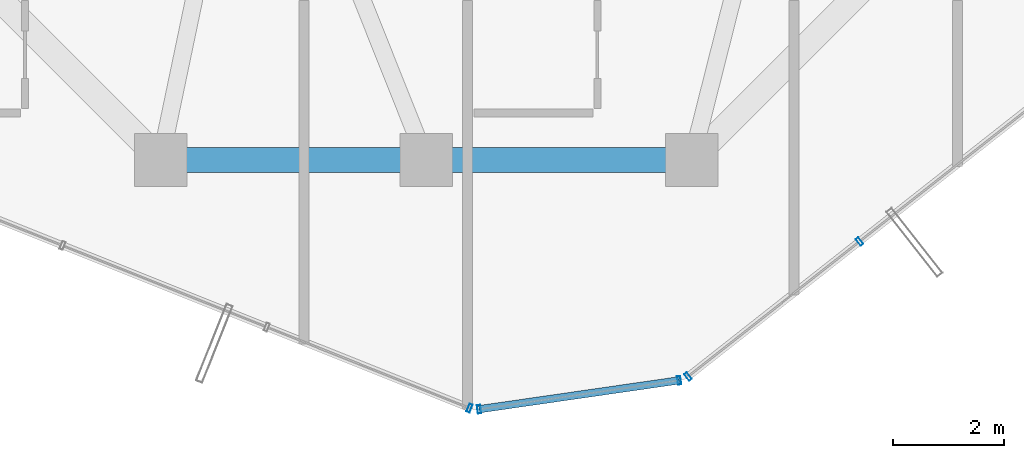
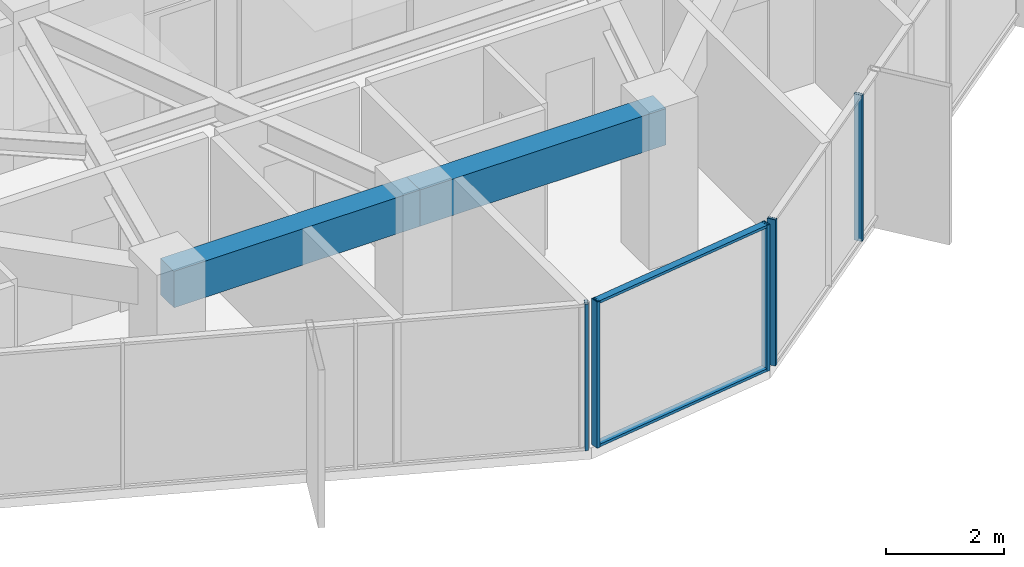
# One storey, part 6 of 31: 7 members, 2 beams, 3 elements without a shape of their own.
"""IFC4 building model written with IfcOpenShell, lengths in metres."""

from ifc_helpers import new_model, si_unit, direction, frame, origin, origin_2d, place, context, subcontext, project, spatial, rectangle, hollow_rectangle, extrude, source, transform, mapped, material, layer, layer_set, material_profile, profile_set, type_object, element, aggregate, save


model = new_model("IFC4")

# Units and contexts
model_context = context("Model", 3, precision=1e-05, world=origin(), true_north=direction((0.0, 1.0)))
body_context = subcontext(model_context, "Body", "Model", "MODEL_VIEW")
ifc_project = project(units=[si_unit("LENGTHUNIT", "METRE"), si_unit("AREAUNIT", "SQUARE_METRE"), si_unit("VOLUMEUNIT", "CUBIC_METRE"), si_unit("PLANEANGLEUNIT", "RADIAN"), si_unit("MASSUNIT", "GRAM", prefix="KILO")], contexts=[model_context])

# Site, building, storey
site_placement = place(None, origin())
site = spatial("IfcSite", under=ifc_project, at=site_placement, CompositionType="ELEMENT")
building_placement = place(site_placement, origin())
building = spatial("IfcBuilding", under=site, at=building_placement, Name="Veraguas Prism Commons", CompositionType="ELEMENT")
storey_placement = place(building_placement, frame((0.0, 0.0, 178.85009765625)))
storey = spatial("IfcBuildingStorey", under=building, at=storey_placement, Name="L50", CompositionType="ELEMENT", Elevation=178.85009765625)

# Beams
ifc_material_1 = material(Name="Concrete C50/60", Category="concrete")
ifc_material_profile_1 = material_profile(ifc_material_1, rectangle(XDim=0.449951171875, YDim=0.75, at=origin_2d()), Name="RC450X750")
ifc_profile_set_1 = profile_set([ifc_material_profile_1], Name="Concrete C50/60")
beam_type = type_object("IfcBeamType", Name="Perimeter Spandrel Upper RC 450x750", PredefinedType="SPANDREL", material=ifc_profile_set_1)
for number, where, z_axis, x_axis, name in (
    (1, (19.199951171875, 9.10009765625, 2.639892578125), (1.0, 0.0, 0.0), (0.0, 1.0, 0.0), "Perimeter Spandrel Beam L50-SP10"),
    (2, (24.0, 9.10009765625, 2.639892578125), (1.0, 0.0, 0.0), (0.0, 1.0, 0.0), "Perimeter Spandrel Beam L50-SP11"),
):
    element("IfcBeam", number, at=place(storey_placement, frame(where, z_axis=z_axis, x_axis=x_axis)), inside=storey, type_object=beam_type, Name=name, PredefinedType="SPANDREL", context=body_context, shape_type="SweptSolid", body=[
        extrude(rectangle(XDim=0.449951171875, YDim=0.75, at=origin_2d()), origin(), (0.0, 0.0, 1.0), 4.800048828125),
    ])

# Curtain wall, member
ifc_material_2 = material(Name="Anodised aluminium EN AW-6063 T6", Category="aluminium")
ifc_layer = layer(ifc_material_2, 0.14990234375, Name="Unitised Flush Curtain Wall Zone 3", Category="aluminium")
ifc_layer_set = layer_set([ifc_layer], Name="Anodised aluminium EN AW-6063 T6")
curtain_wall_type = type_object("IfcCurtainWallType", Name="Unitised Flush Curtain Wall Zone 3", PredefinedType="NOTDEFINED", material=ifc_layer_set)
curtain_wall_1_placement = place(storey_placement, origin())
curtain_wall_1 = element("IfcCurtainWall", 3, at=curtain_wall_1_placement, inside=storey, type_object=curtain_wall_type, Name="Tower Facade Curtain Wall L50-F4", PredefinedType="NOTDEFINED")
ifc_material_profile_2 = material_profile(ifc_material_2, hollow_rectangle(XDim=0.06005859375, YDim=0.14990234375, WallThickness=0.0029296875, at=origin_2d()), Name="AL60X150X3")
ifc_profile_set_2 = profile_set([ifc_material_profile_2], Name="Anodised aluminium EN AW-6063 T6")
member_type_1 = type_object("IfcMemberType", Name="Curtain Wall Mullion Upper AL 60x150x3", PredefinedType="MULLION", material=ifc_profile_set_2)
shared_shape_1 = source(origin(), body_context, "Body", "SweptSolid", [
    extrude(hollow_rectangle(XDim=0.06005859375, YDim=0.14990234375, WallThickness=0.0029296875, at=origin_2d()), origin(), (0.0, 0.0, 1.0), 3.014892578125),
])
member_1_placement = place(storey_placement, frame((24.784423828125, 4.614990234375, 0.0), z_axis=(0.0, 0.0, 1.0), x_axis=(0.928617992492, -0.37103722727, 0.0)))
member_1 = element("IfcMember", 4, at=member_1_placement, type_object=member_type_1, Name="CW-Z3 Mullion 5", PredefinedType="MULLION", context=body_context, shape_type="MappedRepresentation", body=[
    mapped(shared_shape_1, transform((0.0, 0.0, 0.0), scale=1.0)),
])
aggregate(curtain_wall_1, [member_1])

# Curtain wall, members
curtain_wall_2_placement = place(storey_placement, origin())
curtain_wall_2 = element("IfcCurtainWall", 5, at=curtain_wall_2_placement, inside=storey, type_object=curtain_wall_type, Name="Tower Facade Curtain Wall L50-F5", PredefinedType="NOTDEFINED")
member_2_placement = place(storey_placement, frame((28.73388671875, 5.185302734375, 0.0), z_axis=(0.0, 0.0, 1.0), x_axis=(0.785642059854, 0.618681302278, 0.0)))
member_2 = element("IfcMember", 6, at=member_2_placement, type_object=member_type_1, Name="CW-Z3 Mullion 1", PredefinedType="MULLION", context=body_context, shape_type="MappedRepresentation", body=[
    mapped(shared_shape_1, transform((0.0, 0.0, 0.0), scale=1.0)),
])
member_3_placement = place(storey_placement, frame((31.833740234375, 7.62646484375, 0.0), z_axis=(0.0, 0.0, 1.0), x_axis=(0.785642059854, 0.618681302278, 0.0)))
member_3 = element("IfcMember", 7, at=member_3_placement, type_object=member_type_1, Name="CW-Z3 Mullion 2", PredefinedType="MULLION", context=body_context, shape_type="MappedRepresentation", body=[
    mapped(shared_shape_1, transform((0.0, 0.0, 0.0), scale=1.0)),
])
aggregate(curtain_wall_2, [member_2, member_3])

curtain_wall_3_placement = place(storey_placement, origin())
curtain_wall_3 = element("IfcCurtainWall", 8, at=curtain_wall_3_placement, inside=storey, type_object=curtain_wall_type, Name="Chamfer Curtain Wall L50-C5", PredefinedType="NOTDEFINED")
member_4_placement = place(storey_placement, frame((24.957275390625, 4.594482421875, 0.0), z_axis=(0.0, 0.0, 1.0), x_axis=(0.989728629433, 0.142958875487, 0.0)))
member_4 = element("IfcMember", 9, at=member_4_placement, type_object=member_type_1, Name="CW-Z3 Mullion 1", PredefinedType="MULLION", context=body_context, shape_type="MappedRepresentation", body=[
    mapped(shared_shape_1, transform((0.0, 0.0, 0.0), scale=1.0)),
])
member_5_placement = place(storey_placement, frame((28.573974609375, 5.11669921875, 0.0), z_axis=(0.0, 0.0, 1.0), x_axis=(0.989728629433, 0.142958875487, 0.0)))
member_5 = element("IfcMember", 10, at=member_5_placement, type_object=member_type_1, Name="CW-Z3 Mullion 2", PredefinedType="MULLION", context=body_context, shape_type="MappedRepresentation", body=[
    mapped(shared_shape_1, transform((0.0, 0.0, 0.0), scale=1.0)),
])
ifc_material_profile_3 = material_profile(ifc_material_2, hollow_rectangle(XDim=0.054931640625, YDim=0.135009765625, WallThickness=0.0029296875, at=origin_2d()), Name="AL55X135X3")
ifc_profile_set_3 = profile_set([ifc_material_profile_3], Name="Anodised aluminium EN AW-6063 T6")
member_type_2 = type_object("IfcMemberType", Name="Curtain Wall Transom Standard AL 55x135x3", PredefinedType="USERDEFINED", material=ifc_profile_set_3)
shared_shape_2 = source(origin(), body_context, "Body", "SweptSolid", [
    extrude(hollow_rectangle(XDim=0.054931640625, YDim=0.135009765625, WallThickness=0.0029296875, at=origin_2d()), origin(), (0.0, 0.0, 1.0), 3.654296875),
])
member_6_placement = place(storey_placement, frame((24.957275390625, 4.594482421875, 0.02734375), z_axis=(0.989735918037, 0.142908406148, 0.0), x_axis=(0.0, 0.0, 1.0)))
member_6 = element("IfcMember", 11, at=member_6_placement, type_object=member_type_2, Name="CW-Z3 Transom 1", ObjectType="TRANSOM", PredefinedType="USERDEFINED", context=body_context, shape_type="MappedRepresentation", body=[
    mapped(shared_shape_2, transform((0.0, 0.0, 0.0), scale=1.0)),
])
member_7_placement = place(storey_placement, frame((24.957275390625, 4.594482421875, 2.9873046875), z_axis=(0.989735918037, 0.142908406148, 0.0), x_axis=(0.0, 0.0, 1.0)))
member_7 = element("IfcMember", 12, at=member_7_placement, type_object=member_type_2, Name="CW-Z3 Transom 2", ObjectType="TRANSOM", PredefinedType="USERDEFINED", context=body_context, shape_type="MappedRepresentation", body=[
    mapped(shared_shape_2, transform((0.0, 0.0, 0.0), scale=1.0)),
])
aggregate(curtain_wall_3, [member_4, member_5, member_6, member_7])

save(model, "model.ifc")
